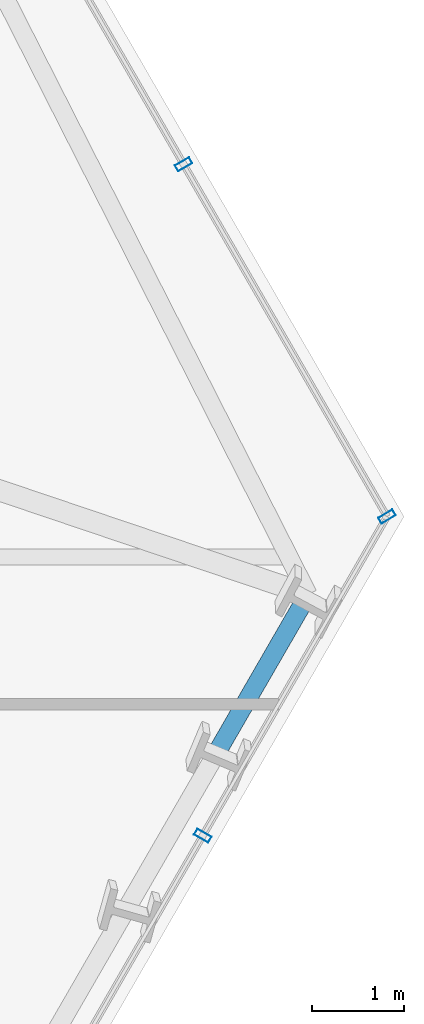
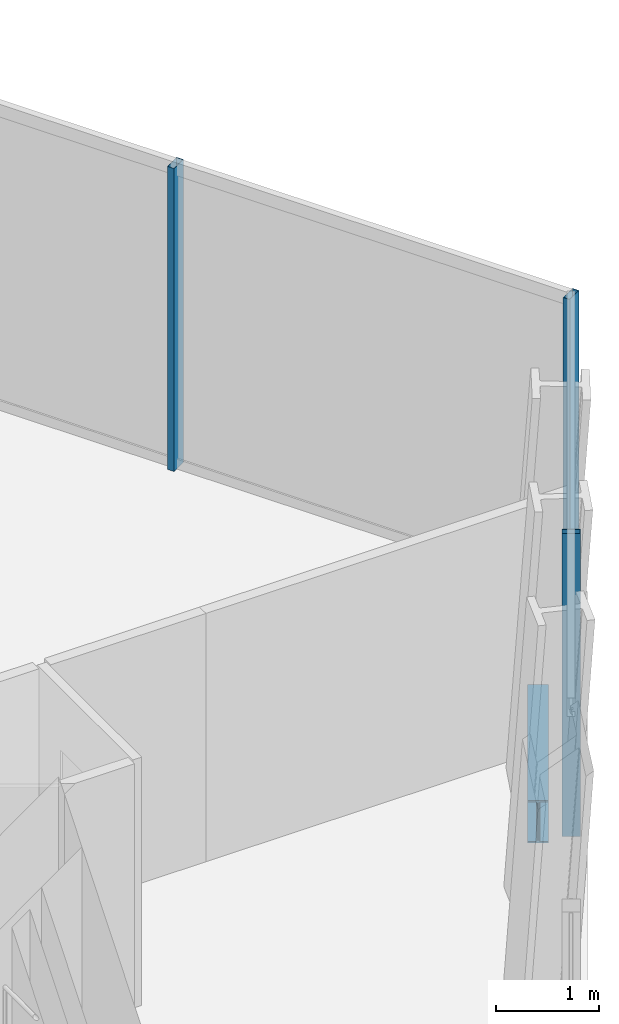
# One storey, part 16 of 32: 3 members, 1 beam, 2 elements without a shape of their own.
"""IFC4 building model written with IfcOpenShell, lengths in metres."""

import ifcopenshell
import ifcopenshell.guid

model = None  # the IFC model being written
_history = None  # IfcOwnerHistory: only IFC2X3 demands one
_inside = {}  # id of a spatial element -> (the spatial element, [elements in it])
_under = {}  # id of a project, library or spatial element -> (it, [spatial elements below it])
_declared = {}  # id of a project -> (the project, [libraries it declares])
_typed = {}  # id of a type object -> (the type object, [elements of that type])
_made_of = {}  # id of a material, layer set ... -> (it, [elements and type objects made of it])


def new_model(schema):
    """Start an empty IFC model of exactly this schema.

    Asked for "IFC4X3", IfcOpenShell would pick the latest addendum, in which some entities
    have other attributes; the version numbers below select the first issue.
    IFC2X3 requires an IfcOwnerHistory on every rooted entity: one is made here for all.
    """
    global model, _history
    if schema == "IFC4X3":
        model = ifcopenshell.file(schema_version=(4, 3, 0, 0))
    else:
        model = ifcopenshell.file(schema=schema)
    _inside.clear()
    _under.clear()
    _declared.clear()
    _typed.clear()
    _made_of.clear()
    _history = None
    if model.schema == "IFC2X3":
        org = make("IfcOrganization", Name="unknown")
        user = make(
            "IfcPersonAndOrganization",
            ThePerson=make("IfcPerson", FamilyName="unknown"),
            TheOrganization=org,
        )
        app = make(
            "IfcApplication",
            ApplicationDeveloper=org,
            Version="unknown",
            ApplicationFullName="unknown",
            ApplicationIdentifier="unknown",
        )
        _history = make(
            "IfcOwnerHistory",
            OwningUser=user,
            OwningApplication=app,
            ChangeAction="ADDED",
            CreationDate=0,
        )
    return model


def make(cls, **values):
    """One entity of the class cls with the attributes given. An attribute that is None is left unset."""
    return model.create_entity(
        cls, **{name: value for name, value in values.items() if value is not None}
    )


def rooted(cls, **values):
    """An entity with a GlobalId (a new one), such as an element, a storey or a relation."""
    return make(cls, GlobalId=ifcopenshell.guid.new(), OwnerHistory=_history, **values)


def si_unit(unit_type, name, prefix=None):
    """IfcSIUnit, for example si_unit("LENGTHUNIT", "METRE", prefix="MILLI")."""
    return make("IfcSIUnit", UnitType=unit_type, Prefix=prefix, Name=name)


def assignment(units):
    """IfcUnitAssignment: the units of a project."""
    return None if units is None else make("IfcUnitAssignment", Units=units)


def point(xyz):
    """IfcCartesianPoint."""
    return None if xyz is None else make("IfcCartesianPoint", Coordinates=xyz)


def direction(xyz):
    """IfcDirection."""
    return None if xyz is None else make("IfcDirection", DirectionRatios=xyz)


def frame(location, z_axis=None, x_axis=None):
    """IfcAxis2Placement3D, a coordinate frame: its origin and axes. An axis left out is left unset."""
    return make(
        "IfcAxis2Placement3D",
        Location=point(location),
        Axis=direction(z_axis),
        RefDirection=direction(x_axis),
    )


def frame_2d(location, x_axis=None):
    """IfcAxis2Placement2D, a coordinate frame in the plane: its origin and x axis."""
    return make(
        "IfcAxis2Placement2D", Location=point(location), RefDirection=direction(x_axis)
    )


def origin():
    """The frame at (0, 0, 0) with its axes left unset."""
    return frame((0.0, 0.0, 0.0))


def origin_2d():
    """The frame at (0, 0) in the plane with its x axis left unset."""
    return frame_2d((0.0, 0.0))


def place(relative_to, where):
    """IfcLocalPlacement: puts the frame where relative to a parent placement (None: the world)."""
    return make(
        "IfcLocalPlacement", PlacementRelTo=relative_to, RelativePlacement=where
    )


def context(
    kind, dimensions, precision=None, world=None, true_north=None, identifier=None
):
    """IfcGeometricRepresentationContext, for example the 3D "Model" context."""
    return make(
        "IfcGeometricRepresentationContext",
        ContextIdentifier=identifier,
        ContextType=kind,
        CoordinateSpaceDimension=dimensions,
        Precision=precision,
        WorldCoordinateSystem=world,
        TrueNorth=true_north,
    )


def subcontext(parent, identifier, kind, view, scale=None):
    """IfcGeometricRepresentationSubContext, for example "Body" below "Model"."""
    return make(
        "IfcGeometricRepresentationSubContext",
        ContextIdentifier=identifier,
        ContextType=kind,
        ParentContext=parent,
        TargetScale=scale,
        TargetView=view,
    )


def project(units=None, contexts=None):
    """IfcProject with its units and contexts."""
    return rooted(
        "IfcProject",
        Name="project",
        RepresentationContexts=contexts,
        UnitsInContext=assignment(units),
    )


def spatial(cls, under=None, at=None, **own):
    """A site, building, storey or space (cls), placed at a placement, below another one or the project."""
    s = rooted(cls, ObjectPlacement=at, **own)
    if under is not None:
        _under.setdefault(under.id(), (under, []))[1].append(s)
    return s


def profile(cls, at=None, kind="AREA", **sizes):
    """A parametric profile (cls). Its sizes go by their IFC names, for example OverallWidth=200.0."""
    return make(cls, ProfileType=kind, Position=at, **sizes)


def hollow_rectangle(**sizes):
    """IfcRectangleHollowProfileDef."""
    return profile("IfcRectangleHollowProfileDef", **sizes)


def i_section(**sizes):
    """IfcIShapeProfileDef."""
    return profile("IfcIShapeProfileDef", **sizes)


def extrude(swept, where, along, depth):
    """IfcExtrudedAreaSolid: the profile swept, set in the frame where, extruded along a direction by depth."""
    return make(
        "IfcExtrudedAreaSolid",
        SweptArea=swept,
        Position=where,
        ExtrudedDirection=direction(along),
        Depth=depth,
    )


def shape(context_of_items, identifier, shape_type, items):
    """IfcShapeRepresentation: the items that make up one representation, for example the "Body"."""
    return make(
        "IfcShapeRepresentation",
        ContextOfItems=context_of_items,
        RepresentationIdentifier=identifier,
        RepresentationType=shape_type,
        Items=items,
    )


def material(Name=None, Category=None):
    """IfcMaterial."""
    return make("IfcMaterial", Name=Name, Category=Category)


def layer(
    of_material, thickness, ventilated=None, Name=None, Category=None, Priority=None
):
    """IfcMaterialLayer: one layer of a wall or slab, of a material (None: an air gap)."""
    return make(
        "IfcMaterialLayer",
        Material=of_material,
        LayerThickness=thickness,
        IsVentilated=ventilated,
        Name=Name,
        Category=Category,
        Priority=Priority,
    )


def layer_set(layers, Name=None):
    """IfcMaterialLayerSet."""
    return make("IfcMaterialLayerSet", MaterialLayers=layers, LayerSetName=Name)


def material_profile(
    of_material, cross_section, Name=None, Category=None, Priority=None
):
    """IfcMaterialProfile: a cross section and its material."""
    return make(
        "IfcMaterialProfile",
        Name=Name,
        Material=of_material,
        Profile=cross_section,
        Priority=Priority,
        Category=Category,
    )


def profile_set(profiles, Name=None, composite=None):
    """IfcMaterialProfileSet."""
    return make(
        "IfcMaterialProfileSet",
        Name=Name,
        MaterialProfiles=profiles,
        CompositeProfile=composite,
    )


def made_of(thing, what):
    """Note that an element or type object is made of a material, layer set ...; save() writes the relation."""
    if what is not None:
        _made_of.setdefault(what.id(), (what, []))[1].append(thing)
    return thing


def type_object(cls, material=None, **own):
    """A type object (cls), such as IfcWallType, which elements share."""
    return made_of(rooted(cls, **own), material)


def element(
    cls,
    number,
    at=None,
    inside=None,
    cuts=None,
    type_object=None,
    material=None,
    context=None,
    identifier="Body",
    shape_type=None,
    held_by="IfcProductDefinitionShape",
    body=None,
    shapes=None,
    **own,
):
    """One element of the class cls, such as IfcWall. Its Tag is "e" and its number.

    at: its placement. inside: the storey or other place that contains it. cuts: it is an
    opening in that element (IfcRelVoidsElement). A single representation is given by context,
    identifier, shape_type and body (its items); several are given by shapes. held_by: the class
    of the entity that holds the representations. save() writes the other relations.
    """
    e = rooted(cls, Tag="e%d" % number, ObjectPlacement=at, **own)
    if body is not None:
        shapes = [shape(context, identifier, shape_type, body)]
    if shapes is not None:
        e.Representation = make(held_by, Representations=shapes)
    if inside is not None:
        _inside.setdefault(inside.id(), (inside, []))[1].append(e)
    if cuts is not None:
        rooted(
            "IfcRelVoidsElement", RelatingBuildingElement=cuts, RelatedOpeningElement=e
        )
    if type_object is not None:
        _typed.setdefault(type_object.id(), (type_object, []))[1].append(e)
    return made_of(e, material)


def aggregate(whole, parts):
    """IfcRelAggregates: a whole, such as a stair, and the parts it consists of."""
    return rooted("IfcRelAggregates", RelatingObject=whole, RelatedObjects=parts)


def save(model, path):
    """Write the relations noted so far, then the file.

    IfcRelAggregates (storeys below a building ...), IfcRelContainedInSpatialStructure (elements
    in a storey), IfcRelDefinesByType, IfcRelAssociatesMaterial and IfcRelDeclares: one each for
    every whole, place, type object, material and project.
    """
    for whole, parts in _under.values():
        aggregate(whole, parts)
    for where, things in _inside.values():
        rooted(
            "IfcRelContainedInSpatialStructure",
            RelatedElements=things,
            RelatingStructure=where,
        )
    for kind, things in _typed.values():
        rooted("IfcRelDefinesByType", RelatedObjects=things, RelatingType=kind)
    for what, things in _made_of.values():
        rooted("IfcRelAssociatesMaterial", RelatedObjects=things, RelatingMaterial=what)
    for by, libraries in _declared.values():
        rooted("IfcRelDeclares", RelatingContext=by, RelatedDefinitions=libraries)
    model.write(path)


model = new_model("IFC4")

# Units and contexts
model_context = context("Model", 3, precision=1e-05, world=origin(), true_north=direction((0.0, 1.0)))
body_context = subcontext(model_context, "Body", "Model", "MODEL_VIEW")
ifc_project = project(units=[si_unit("LENGTHUNIT", "METRE"), si_unit("AREAUNIT", "SQUARE_METRE"), si_unit("VOLUMEUNIT", "CUBIC_METRE"), si_unit("PLANEANGLEUNIT", "RADIAN"), si_unit("MASSUNIT", "GRAM", prefix="KILO")], contexts=[model_context])

# Site, building, storey
site_placement = place(None, origin())
site = spatial("IfcSite", under=ifc_project, at=site_placement, CompositionType="ELEMENT")
building_placement = place(site_placement, origin())
building = spatial("IfcBuilding", under=site, at=building_placement, Name="Ndaravel Arena Tower", CompositionType="ELEMENT")
storey_placement = place(building_placement, frame((0.0, 0.0, 55.0)))
storey = spatial("IfcBuildingStorey", under=building, at=storey_placement, Name="L11", CompositionType="ELEMENT", Elevation=55.0)

# Beam
ifc_material_1 = material(Name="Steel S355", Category="steel")
ifc_material_profile_1 = material_profile(ifc_material_1, i_section(OverallWidth=0.199951171875, OverallDepth=0.5, WebThickness=0.01025390625, FlangeThickness=0.01611328125, FilletRadius=0.02099609375, at=origin_2d()), Name="IPE 500")
ifc_profile_set_1 = profile_set([ifc_material_profile_1], Name="Steel S355")
beam_type = type_object("IfcBeamType", Name="BM-SPAN-IPE500", PredefinedType="SPANDREL", material=ifc_profile_set_1)
beam_placement = place(storey_placement, frame((63.656005859375, 16.4970703125, -0.469970703125), z_axis=(0.500003221507, 0.866023543838, 0.0), x_axis=(-0.866023543838, 0.500003221507, 0.0)))
element("IfcBeam", 1, at=beam_placement, inside=storey, type_object=beam_type, Name="L11 Perimeter Spandrel Beam SP-08", PredefinedType="SPANDREL", context=body_context, shape_type="SweptSolid", body=[
    extrude(i_section(OverallWidth=0.199951171875, OverallDepth=0.5, WebThickness=0.01025390625, FlangeThickness=0.01611328125, FilletRadius=0.02099609375, at=origin_2d()), origin(), (0.0, 0.0, 1.0), 1.95703125),
])

# Curtain wall, member
ifc_material_2 = material(Name="Aluminium", Category="aluminium")
ifc_layer_1 = layer(ifc_material_2, 0.179931640625)
ifc_layer_set_1 = layer_set([ifc_layer_1], Name="Aluminium")
curtain_wall_type_1 = type_object("IfcCurtainWallType", Name="CW-SYS-01", PredefinedType="NOTDEFINED", material=ifc_layer_set_1)
curtain_wall_1_placement = place(storey_placement, origin())
curtain_wall_1 = element("IfcCurtainWall", 2, at=curtain_wall_1_placement, inside=storey, type_object=curtain_wall_type_1, Name="L11 Faceted Crystal Curtain Wall CW-L11-E02", PredefinedType="NOTDEFINED")
ifc_material_3 = material(Name="Aluminium", Category="aluminium")
ifc_material_profile_2 = material_profile(ifc_material_3, hollow_rectangle(XDim=0.074951171875, YDim=0.179931640625, WallThickness=0.00390625, at=origin_2d()), Name="CW MULLION 75x180x4")
ifc_profile_set_2 = profile_set([ifc_material_profile_2], Name="Aluminium")
member_type = type_object("IfcMemberType", Name="MEM-CW-MUL180", PredefinedType="MULLION", material=ifc_profile_set_2)
member_1_placement = place(storey_placement, frame((63.489990234375, 15.569580078125, 0.0), z_axis=(0.0, 0.0, 1.0), x_axis=(0.5, 0.866025403784, 0.0)))
member_1 = element("IfcMember", 3, at=member_1_placement, type_object=member_type, Name="CW-L11-E02 Mullion 03", PredefinedType="MULLION", context=body_context, shape_type="SweptSolid", body=[
    extrude(hollow_rectangle(XDim=0.074951171875, YDim=0.179931640625, WallThickness=0.00390625, at=origin_2d()), origin(), (0.0, 0.0, 1.0), 3.580078125),
])
aggregate(curtain_wall_1, [member_1])

# Curtain wall, members
ifc_material_4 = material(Name="Aluminium", Category="aluminium")
ifc_layer_2 = layer(ifc_material_4, 0.179931640625)
ifc_layer_set_2 = layer_set([ifc_layer_2], Name="Aluminium")
curtain_wall_type_2 = type_object("IfcCurtainWallType", Name="CW-SYS-03", PredefinedType="NOTDEFINED", material=ifc_layer_set_2)
curtain_wall_2_placement = place(storey_placement, origin())
curtain_wall_2 = element("IfcCurtainWall", 4, at=curtain_wall_2_placement, inside=storey, type_object=curtain_wall_type_2, Name="L11 Faceted Crystal Curtain Wall CW-L11-E03", PredefinedType="NOTDEFINED")
member_2_placement = place(storey_placement, frame((65.4931640625, 19.03955078125, 0.0), z_axis=(0.0, 0.0, 1.0), x_axis=(-0.5, 0.866025403784, 0.0)))
member_2 = element("IfcMember", 5, at=member_2_placement, type_object=member_type, Name="CW-L11-E03 Mullion 00", PredefinedType="MULLION", context=body_context, shape_type="SweptSolid", body=[
    extrude(hollow_rectangle(XDim=0.074951171875, YDim=0.179931640625, WallThickness=0.00390625, at=origin_2d()), origin(), (0.0, 0.0, 1.0), 3.580078125),
])
member_3_placement = place(storey_placement, frame((63.28173828125, 22.869873046875, 0.0), z_axis=(0.0, 0.0, 1.0), x_axis=(-0.5, 0.866025403784, 0.0)))
member_3 = element("IfcMember", 6, at=member_3_placement, type_object=member_type, Name="CW-L11-E03 Mullion 01", PredefinedType="MULLION", context=body_context, shape_type="SweptSolid", body=[
    extrude(hollow_rectangle(XDim=0.074951171875, YDim=0.179931640625, WallThickness=0.00390625, at=origin_2d()), origin(), (0.0, 0.0, 1.0), 3.580078125),
])
aggregate(curtain_wall_2, [member_2, member_3])

save(model, "model.ifc")
